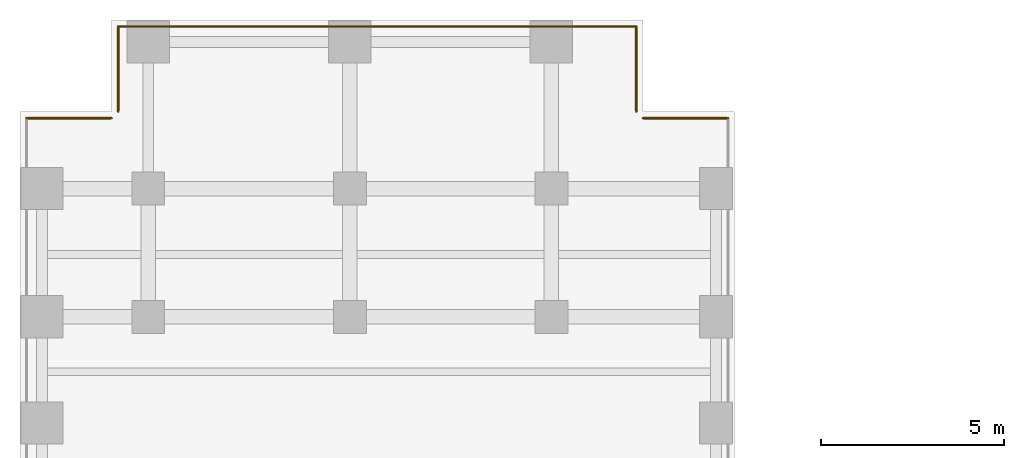
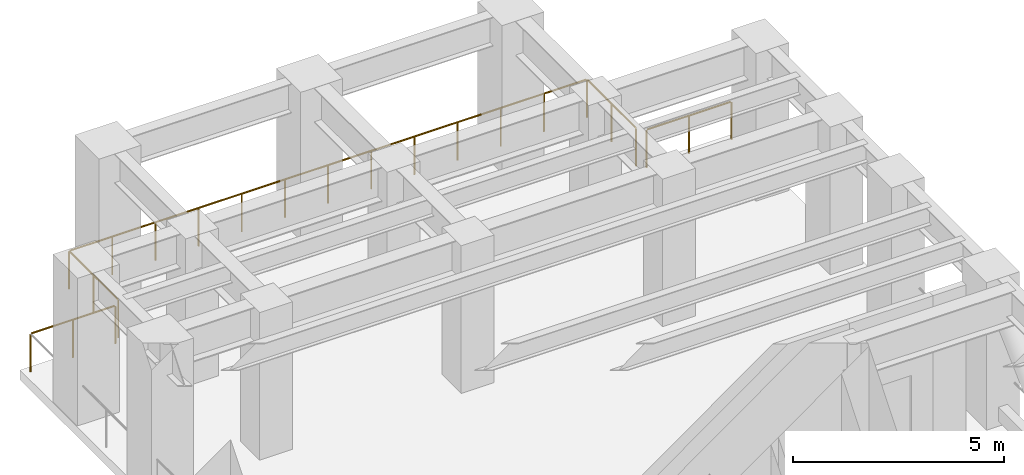
# One storey, part 16 of 16: 5 railings.
"""IFC4 building model written with IfcOpenShell, lengths in metres."""

from ifc_helpers import new_model, si_unit, direction, frame, origin, origin_2d, place, context, subcontext, project, spatial, circle, extrude, source, transform, mapped, material, layer, layer_set, type_object, element, save


model = new_model("IFC4")

# Units and contexts
model_context = context("Model", 3, precision=1e-05, world=origin(), true_north=direction((0.0, 1.0)))
body_context = subcontext(model_context, "Body", "Model", "MODEL_VIEW")
ifc_project = project(units=[si_unit("LENGTHUNIT", "METRE"), si_unit("AREAUNIT", "SQUARE_METRE"), si_unit("VOLUMEUNIT", "CUBIC_METRE"), si_unit("PLANEANGLEUNIT", "RADIAN"), si_unit("MASSUNIT", "GRAM", prefix="KILO")], contexts=[model_context])

# Site, building, storey
site_placement = place(None, origin())
site = spatial("IfcSite", under=ifc_project, at=site_placement, CompositionType="ELEMENT")
building_placement = place(site_placement, origin())
building = spatial("IfcBuilding", under=site, at=building_placement, Name="Kharzan Plaza Tower", CompositionType="ELEMENT")
storey_placement = place(building_placement, frame((0.0, 0.0, 138.60009765625)))
storey = spatial("IfcBuildingStorey", under=building, at=storey_placement, Name="L37", CompositionType="ELEMENT", Elevation=138.60009765625)

# Railings
ifc_material = material(Name="Painted Galvanized Architectural Steel", Category="steel")
ifc_layer = layer(ifc_material, 0.074951171875)
ifc_layer_set = layer_set([ifc_layer], Name="Painted Galvanized Architectural Steel")
railing_type = type_object("IfcRailingType", Name="RL-GUARD-1120", PredefinedType="BALUSTRADE", material=ifc_layer_set)
shared_shape_1 = source(origin(), body_context, "Body", "SweptSolid", [
    extrude(circle(Radius=0.02392578125, at=origin_2d()), frame((0.0, -0.0263671875, 1.09619140625), z_axis=(0.0, -1.0, 0.0), x_axis=(1.0, 0.0, 0.0)), (0.0, 0.0, 1.0), 2.26708984375),
    extrude(circle(Radius=0.02099609375, at=origin_2d()), origin(), (0.0, 0.0, 1.0), 1.072021484375),
    extrude(circle(Radius=0.02099609375, at=origin_2d()), frame((0.0, -1.16015625, 0.0)), (0.0, 0.0, 1.0), 1.072021484375),
    extrude(circle(Radius=0.02099609375, at=origin_2d()), frame((0.0, -2.320068359375, 0.0)), (0.0, 0.0, 1.0), 1.072021484375),
])
railing_1_placement = place(storey_placement, frame((16.820068359375, 45.820068359375, 0.0)))
element("IfcRailing", 1, at=railing_1_placement, inside=storey, type_object=railing_type, Name="L37 Open Refuge Floor Perimeter Guard 115", PredefinedType="BALUSTRADE", context=body_context, shape_type="MappedRepresentation", body=[
    mapped(shared_shape_1, transform((0.0, 0.0, 0.0), x_axis=(1.0, 0.0, 0.0), y_axis=(0.0, 1.0, 0.0), z_axis=(0.0, 0.0, 1.0))),
])
shared_shape_2 = source(origin(), body_context, "Body", "SweptSolid", [
    extrude(circle(Radius=0.02392578125, at=origin_2d()), frame((0.0, 0.0263671875, 1.09619140625), z_axis=(0.0, 1.0, 0.0), x_axis=(-1.0, 0.0, 0.0)), (0.0, 0.0, 1.0), 2.26708984375),
    extrude(circle(Radius=0.02099609375, at=origin_2d()), origin(), (0.0, 0.0, 1.0), 1.072021484375),
    extrude(circle(Radius=0.02099609375, at=origin_2d()), frame((0.0, 1.16015625, 0.0)), (0.0, 0.0, 1.0), 1.072021484375),
    extrude(circle(Radius=0.02099609375, at=origin_2d()), frame((0.0, 2.320068359375, 0.0)), (0.0, 0.0, 1.0), 1.072021484375),
])
railing_2_placement = place(storey_placement, frame((2.679931640625, 43.5, 0.0)))
element("IfcRailing", 2, at=railing_2_placement, inside=storey, type_object=railing_type, Name="L37 Open Refuge Floor Perimeter Guard 113", PredefinedType="BALUSTRADE", context=body_context, shape_type="MappedRepresentation", body=[
    mapped(shared_shape_2, transform((0.0, 0.0, 0.0), x_axis=(1.0, 0.0, 0.0), y_axis=(0.0, 1.0, 0.0), z_axis=(0.0, 0.0, 1.0))),
])
shared_shape_3 = source(origin(), body_context, "Body", "SweptSolid", [
    extrude(circle(Radius=0.02392578125, at=origin_2d()), frame((0.0263671875, 0.0, 1.09619140625), z_axis=(1.0, 0.0, 0.0), x_axis=(0.0, 1.0, 0.0)), (0.0, 0.0, 1.0), 14.087158203125),
    extrude(circle(Radius=0.02099609375, at=origin_2d()), origin(), (0.0, 0.0, 1.0), 1.072021484375),
    extrude(circle(Radius=0.02099609375, at=origin_2d()), frame((1.17822265625, 0.0, 0.0)), (0.0, 0.0, 1.0), 1.072021484375),
    extrude(circle(Radius=0.02099609375, at=origin_2d()), frame((2.356689453125, 0.0, 0.0)), (0.0, 0.0, 1.0), 1.072021484375),
    extrude(circle(Radius=0.02099609375, at=origin_2d()), frame((3.53515625, 0.0, 0.0)), (0.0, 0.0, 1.0), 1.072021484375),
    extrude(circle(Radius=0.02099609375, at=origin_2d()), frame((4.71337890625, 0.0, 0.0)), (0.0, 0.0, 1.0), 1.072021484375),
    extrude(circle(Radius=0.02099609375, at=origin_2d()), frame((5.8916015625, 0.0, 0.0)), (0.0, 0.0, 1.0), 1.072021484375),
    extrude(circle(Radius=0.02099609375, at=origin_2d()), frame((7.070068359375, 0.0, 0.0)), (0.0, 0.0, 1.0), 1.072021484375),
    extrude(circle(Radius=0.02099609375, at=origin_2d()), frame((8.24853515625, 0.0, 0.0)), (0.0, 0.0, 1.0), 1.072021484375),
    extrude(circle(Radius=0.02099609375, at=origin_2d()), frame((9.4267578125, 0.0, 0.0)), (0.0, 0.0, 1.0), 1.072021484375),
    extrude(circle(Radius=0.02099609375, at=origin_2d()), frame((10.60498046875, 0.0, 0.0)), (0.0, 0.0, 1.0), 1.072021484375),
    extrude(circle(Radius=0.02099609375, at=origin_2d()), frame((11.783447265625, 0.0, 0.0)), (0.0, 0.0, 1.0), 1.072021484375),
    extrude(circle(Radius=0.02099609375, at=origin_2d()), frame((12.9619140625, 0.0, 0.0)), (0.0, 0.0, 1.0), 1.072021484375),
    extrude(circle(Radius=0.02099609375, at=origin_2d()), frame((14.14013671875, 0.0, 0.0)), (0.0, 0.0, 1.0), 1.072021484375),
])
railing_3_placement = place(storey_placement, frame((2.679931640625, 45.820068359375, 0.0)))
element("IfcRailing", 3, at=railing_3_placement, inside=storey, type_object=railing_type, Name="L37 Open Refuge Floor Perimeter Guard 114", PredefinedType="BALUSTRADE", context=body_context, shape_type="MappedRepresentation", body=[
    mapped(shared_shape_3, transform((0.0, 0.0, 0.0), x_axis=(1.0, 0.0, 0.0), y_axis=(0.0, 1.0, 0.0), z_axis=(0.0, 0.0, 1.0))),
])
shared_shape_4 = source(origin(), body_context, "Body", "SweptSolid", [
    extrude(circle(Radius=0.02392578125, at=origin_2d()), frame((0.0263671875, 0.0, 1.09619140625), z_axis=(1.0, 0.0, 0.0), x_axis=(0.0, 1.0, 0.0)), (0.0, 0.0, 1.0), 2.26708984375),
    extrude(circle(Radius=0.02099609375, at=origin_2d()), origin(), (0.0, 0.0, 1.0), 1.072021484375),
    extrude(circle(Radius=0.02099609375, at=origin_2d()), frame((1.16015625, 0.0, 0.0)), (0.0, 0.0, 1.0), 1.072021484375),
    extrude(circle(Radius=0.02099609375, at=origin_2d()), frame((2.320068359375, 0.0, 0.0)), (0.0, 0.0, 1.0), 1.072021484375),
])
for number, where, name in (
    (4, (17.0, 43.320068359375, 0.0), "L37 Open Refuge Floor Perimeter Guard 132"),
    (5, (0.179931640625, 43.320068359375, 0.0), "L37 Open Refuge Floor Perimeter Guard 96"),
):
    element("IfcRailing", number, at=place(storey_placement, frame(where)), inside=storey, type_object=railing_type, Name=name, PredefinedType="BALUSTRADE", context=body_context, shape_type="MappedRepresentation", body=[
        mapped(shared_shape_4, transform((0.0, 0.0, 0.0), x_axis=(1.0, 0.0, 0.0), y_axis=(0.0, 1.0, 0.0), z_axis=(0.0, 0.0, 1.0))),
    ])

save(model, "model.ifc")
